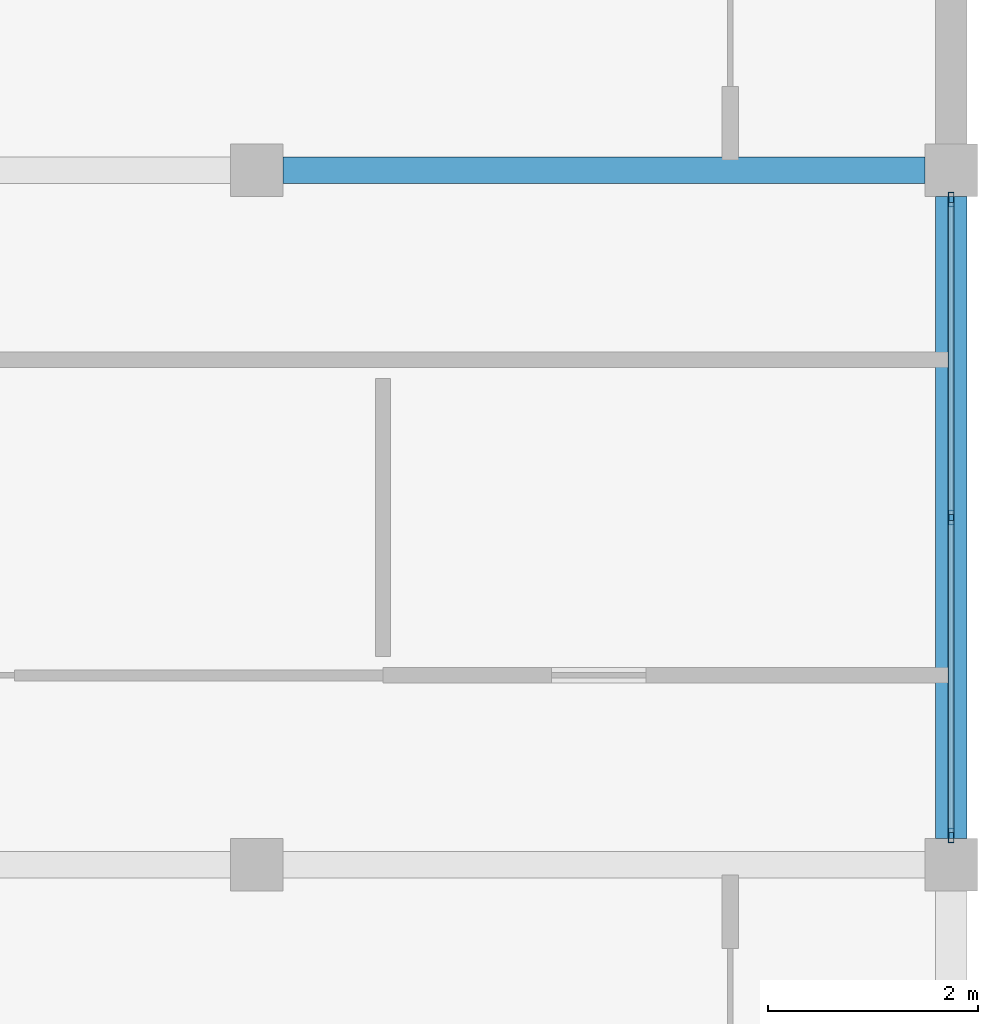
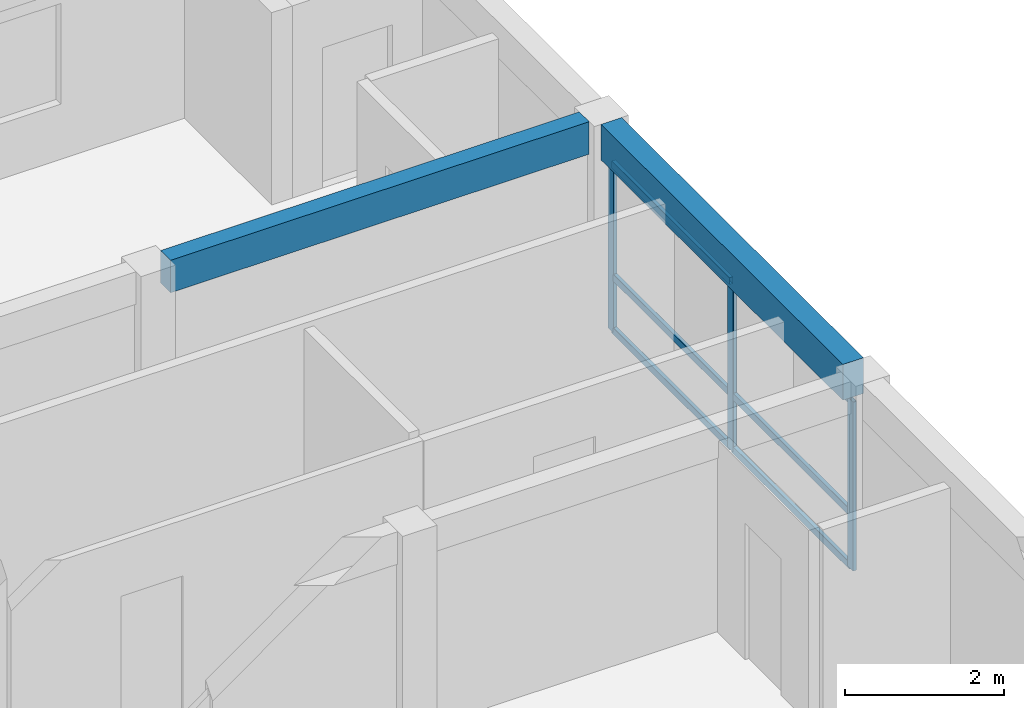
# One storey, part 21 of 45: 9 members, 2 beams, 1 element without a shape of its own.
"""IFC4 building model written with IfcOpenShell, lengths in metres."""

from ifc_helpers import new_model, si_unit, direction, frame, origin, origin_2d, place, context, subcontext, project, spatial, rectangle, hollow_rectangle, extrude, material, material_profile, profile_set, type_object, element, aggregate, save


model = new_model("IFC4")

# Units and contexts
model_context = context("Model", 3, precision=1e-05, world=origin(), true_north=direction((0.0, 1.0)))
body_context = subcontext(model_context, "Body", "Model", "MODEL_VIEW")
ifc_project = project(units=[si_unit("LENGTHUNIT", "METRE"), si_unit("AREAUNIT", "SQUARE_METRE"), si_unit("VOLUMEUNIT", "CUBIC_METRE"), si_unit("PLANEANGLEUNIT", "RADIAN"), si_unit("MASSUNIT", "GRAM", prefix="KILO")], contexts=[model_context])

# Site, building, storey
site_placement = place(None, origin())
site = spatial("IfcSite", under=ifc_project, at=site_placement, CompositionType="ELEMENT")
building_placement = place(site_placement, origin())
building = spatial("IfcBuilding", under=site, at=building_placement, Name="Kernevlak Ridge Housing Community", CompositionType="ELEMENT")
storey_placement = place(building_placement, frame((0.0, 0.0, 14.800048828125)))
storey = spatial("IfcBuildingStorey", under=building, at=storey_placement, Name="L04", CompositionType="ELEMENT", Elevation=14.800048828125)

# Beam
ifc_material_1 = material(Name="Concrete C35/45", Category="concrete")
ifc_material_profile_1 = material_profile(ifc_material_1, rectangle(XDim=0.25, YDim=0.5, at=origin_2d()), Name="RC 250x500")
ifc_profile_set_1 = profile_set([ifc_material_profile_1], Name="Concrete C35/45")
beam_type_1 = type_object("IfcBeamType", Name="B-06", PredefinedType="T_BEAM", material=ifc_profile_set_1)
beam_1_placement = place(storey_placement, frame((146.050048828125, 95.800048828125, 2.949951171875), z_axis=(1.0, 0.0, 0.0), x_axis=(0.0, 1.0, 0.0)))
element("IfcBeam", 1, at=beam_1_placement, inside=storey, type_object=beam_type_1, Name="Beam B-06 L04 695", PredefinedType="T_BEAM", context=body_context, shape_type="SweptSolid", body=[
    extrude(rectangle(XDim=0.25, YDim=0.5, at=origin_2d()), origin(), (0.0, 0.0, 1.0), 6.099853515625),
])

# Curtain wall, members
ifc_material_2 = material(Name="Aluminium EN AW-6060 anodised and laminated glass", Category="aluminium")
curtain_wall_type = type_object("IfcCurtainWallType", Name="CW-12", PredefinedType="NOTDEFINED", material=ifc_material_2)
curtain_wall_placement = place(storey_placement, origin())
curtain_wall = element("IfcCurtainWall", 2, at=curtain_wall_placement, inside=storey, type_object=curtain_wall_type, Name="Curtain wall CW-12 CW-L04-069", PredefinedType="NOTDEFINED")
ifc_material_3 = material(Name="Aluminium EN AW-6060 anodised", Category="aluminium")
ifc_material_profile_2 = material_profile(ifc_material_3, hollow_rectangle(XDim=0.054931640625, YDim=0.139892578125, WallThickness=0.00390625, InnerFilletRadius=0.001953125, OuterFilletRadius=0.00390625, at=origin_2d()), Name="ALU 55x140x4")
ifc_profile_set_2 = profile_set([ifc_material_profile_2], Name="Aluminium EN AW-6060 anodised")
member_type_1 = type_object("IfcMemberType", Name="MU-01", PredefinedType="MULLION", material=ifc_profile_set_2)
member_1_placement = place(storey_placement, frame((152.39990234375, 89.4775390625, 0.0), z_axis=(0.0, 0.0, 1.0), x_axis=(-1.0, 0.0, 0.0)))
member_1 = element("IfcMember", 3, at=member_1_placement, type_object=member_type_1, Name="CW-12 mullion 1", PredefinedType="MULLION", context=body_context, shape_type="SweptSolid", body=[
    extrude(hollow_rectangle(XDim=0.054931640625, YDim=0.139892578125, WallThickness=0.00390625, InnerFilletRadius=0.001953125, OuterFilletRadius=0.00390625, at=origin_2d()), origin(), (0.0, 0.0, 1.0), 2.599853515625),
])
member_2_placement = place(storey_placement, frame((152.39990234375, 92.5, 0.0), z_axis=(0.0, 0.0, 1.0), x_axis=(-1.0, 0.0, 0.0)))
member_2 = element("IfcMember", 4, at=member_2_placement, type_object=member_type_1, Name="CW-12 mullion 2", PredefinedType="MULLION", context=body_context, shape_type="SweptSolid", body=[
    extrude(hollow_rectangle(XDim=0.054931640625, YDim=0.139892578125, WallThickness=0.00390625, InnerFilletRadius=0.001953125, OuterFilletRadius=0.00390625, at=origin_2d()), origin(), (0.0, 0.0, 1.0), 2.599853515625),
])
member_3_placement = place(storey_placement, frame((152.39990234375, 95.5224609375, 0.0), z_axis=(0.0, 0.0, 1.0), x_axis=(-1.0, 0.0, 0.0)))
member_3 = element("IfcMember", 5, at=member_3_placement, type_object=member_type_1, Name="CW-12 mullion 3", PredefinedType="MULLION", context=body_context, shape_type="SweptSolid", body=[
    extrude(hollow_rectangle(XDim=0.054931640625, YDim=0.139892578125, WallThickness=0.00390625, InnerFilletRadius=0.001953125, OuterFilletRadius=0.00390625, at=origin_2d()), origin(), (0.0, 0.0, 1.0), 2.599853515625),
])

# Beam
ifc_material_profile_3 = material_profile(ifc_material_1, rectangle(XDim=0.300048828125, YDim=0.550048828125, at=origin_2d()), Name="RC 300x550")
ifc_profile_set_3 = profile_set([ifc_material_profile_3], Name="Concrete C35/45")
beam_type_2 = type_object("IfcBeamType", Name="SP-01", PredefinedType="SPANDREL", material=ifc_profile_set_3)
beam_2_placement = place(storey_placement, frame((152.39990234375, 89.449951171875, 2.925048828125), z_axis=(0.0, 1.0, 0.0), x_axis=(-1.0, 0.0, 0.0)))
element("IfcBeam", 6, at=beam_2_placement, inside=storey, type_object=beam_type_2, Name="Beam SP-01 L04 705", PredefinedType="SPANDREL", context=body_context, shape_type="SweptSolid", body=[
    extrude(rectangle(XDim=0.300048828125, YDim=0.550048828125, at=origin_2d()), origin(), (0.0, 0.0, 1.0), 6.10009765625),
])

# Member
ifc_material_profile_4 = material_profile(ifc_material_3, hollow_rectangle(XDim=0.054931640625, YDim=0.110107421875, WallThickness=0.00390625, InnerFilletRadius=0.001953125, OuterFilletRadius=0.00390625, at=origin_2d()), Name="ALU 55x110x4")
ifc_profile_set_4 = profile_set([ifc_material_profile_4], Name="Aluminium EN AW-6060 anodised")
member_type_2 = type_object("IfcMemberType", Name="TM-01", PredefinedType="USERDEFINED", material=ifc_profile_set_4)
member_4_placement = place(storey_placement, frame((152.39990234375, 89.5048828125, 0.02734375), z_axis=(0.0, 1.0, 0.0), x_axis=(-1.0, 0.0, 0.0)))
member_4 = element("IfcMember", 7, at=member_4_placement, type_object=member_type_2, Name="CW-12 transom 1.1", ObjectType="TRANSOM", PredefinedType="USERDEFINED", context=body_context, shape_type="SweptSolid", body=[
    extrude(hollow_rectangle(XDim=0.054931640625, YDim=0.110107421875, WallThickness=0.00390625, InnerFilletRadius=0.001953125, OuterFilletRadius=0.00390625, at=origin_2d()), origin(), (0.0, 0.0, 1.0), 2.967529296875),
])

member_5_placement = place(storey_placement, frame((152.39990234375, 89.5048828125, 0.849853515625), z_axis=(0.0, 1.0, 0.0), x_axis=(-1.0, 0.0, 0.0)))
member_5 = element("IfcMember", 8, at=member_5_placement, type_object=member_type_2, Name="CW-12 transom 1.2", ObjectType="TRANSOM", PredefinedType="USERDEFINED", context=body_context, shape_type="SweptSolid", body=[
    extrude(hollow_rectangle(XDim=0.054931640625, YDim=0.110107421875, WallThickness=0.00390625, InnerFilletRadius=0.001953125, OuterFilletRadius=0.00390625, at=origin_2d()), origin(), (0.0, 0.0, 1.0), 2.967529296875),
])

member_6_placement = place(storey_placement, frame((152.39990234375, 89.5048828125, 2.572509765625), z_axis=(0.0, 1.0, 0.0), x_axis=(-1.0, 0.0, 0.0)))
member_6 = element("IfcMember", 9, at=member_6_placement, type_object=member_type_2, Name="CW-12 transom 1.3", ObjectType="TRANSOM", PredefinedType="USERDEFINED", context=body_context, shape_type="SweptSolid", body=[
    extrude(hollow_rectangle(XDim=0.054931640625, YDim=0.110107421875, WallThickness=0.00390625, InnerFilletRadius=0.001953125, OuterFilletRadius=0.00390625, at=origin_2d()), origin(), (0.0, 0.0, 1.0), 2.967529296875),
])

member_7_placement = place(storey_placement, frame((152.39990234375, 92.527587890625, 0.02734375), z_axis=(0.0, 1.0, 0.0), x_axis=(-1.0, 0.0, 0.0)))
member_7 = element("IfcMember", 10, at=member_7_placement, type_object=member_type_2, Name="CW-12 transom 2.1", ObjectType="TRANSOM", PredefinedType="USERDEFINED", context=body_context, shape_type="SweptSolid", body=[
    extrude(hollow_rectangle(XDim=0.054931640625, YDim=0.110107421875, WallThickness=0.00390625, InnerFilletRadius=0.001953125, OuterFilletRadius=0.00390625, at=origin_2d()), origin(), (0.0, 0.0, 1.0), 2.967529296875),
])

member_8_placement = place(storey_placement, frame((152.39990234375, 92.527587890625, 0.849853515625), z_axis=(0.0, 1.0, 0.0), x_axis=(-1.0, 0.0, 0.0)))
member_8 = element("IfcMember", 11, at=member_8_placement, type_object=member_type_2, Name="CW-12 transom 2.2", ObjectType="TRANSOM", PredefinedType="USERDEFINED", context=body_context, shape_type="SweptSolid", body=[
    extrude(hollow_rectangle(XDim=0.054931640625, YDim=0.110107421875, WallThickness=0.00390625, InnerFilletRadius=0.001953125, OuterFilletRadius=0.00390625, at=origin_2d()), origin(), (0.0, 0.0, 1.0), 2.967529296875),
])

member_9_placement = place(storey_placement, frame((152.39990234375, 92.527587890625, 2.572509765625), z_axis=(0.0, 1.0, 0.0), x_axis=(-1.0, 0.0, 0.0)))
member_9 = element("IfcMember", 12, at=member_9_placement, type_object=member_type_2, Name="CW-12 transom 2.3", ObjectType="TRANSOM", PredefinedType="USERDEFINED", context=body_context, shape_type="SweptSolid", body=[
    extrude(hollow_rectangle(XDim=0.054931640625, YDim=0.110107421875, WallThickness=0.00390625, InnerFilletRadius=0.001953125, OuterFilletRadius=0.00390625, at=origin_2d()), origin(), (0.0, 0.0, 1.0), 2.967529296875),
])

aggregate(curtain_wall, [member_1, member_2, member_3, member_4, member_5, member_6, member_7, member_8, member_9])

save(model, "model.ifc")
